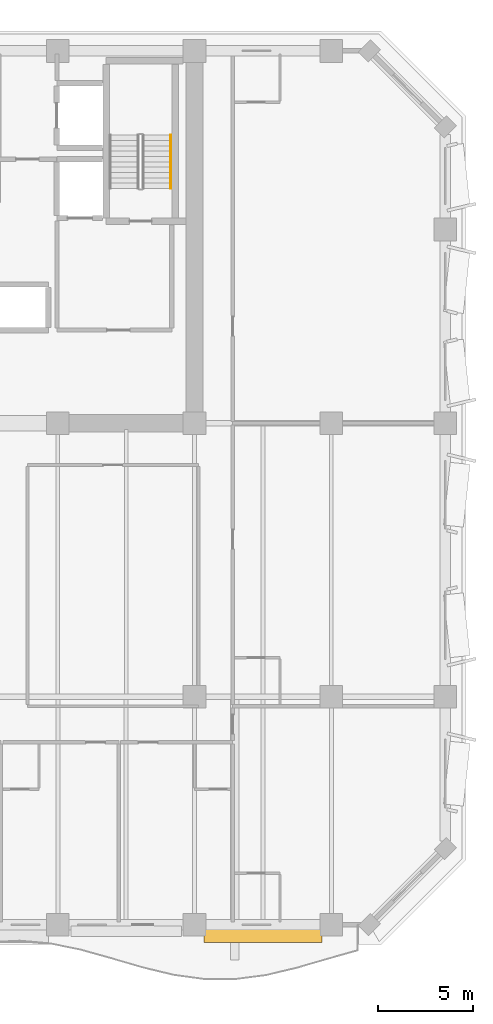
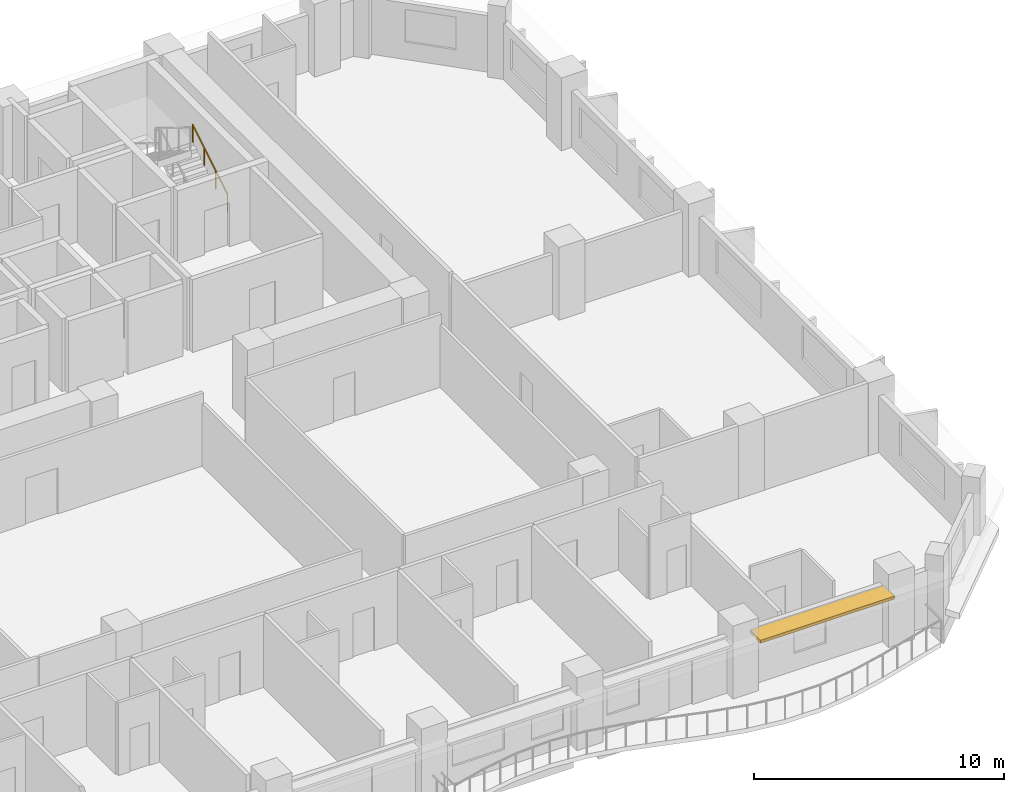
# One storey, part 15 of 15: 1 railing, 1 shading device.
"""IFC4 building model written with IfcOpenShell, lengths in metres."""

from ifc_helpers import new_model, si_unit, direction, frame, origin, origin_2d, place, context, subcontext, project, spatial, rectangle, extrude, material, layer, layer_set, type_object, element, save


model = new_model("IFC4")

# Units and contexts
model_context = context("Model", 3, precision=1e-05, world=origin(), true_north=direction((0.0, 1.0)))
body_context = subcontext(model_context, "Body", "Model", "MODEL_VIEW")
ifc_project = project(units=[si_unit("LENGTHUNIT", "METRE"), si_unit("AREAUNIT", "SQUARE_METRE"), si_unit("VOLUMEUNIT", "CUBIC_METRE"), si_unit("PLANEANGLEUNIT", "RADIAN"), si_unit("MASSUNIT", "GRAM", prefix="KILO")], contexts=[model_context])

# Site, building, storey
site_placement = place(None, origin())
site = spatial("IfcSite", under=ifc_project, at=site_placement, CompositionType="ELEMENT")
building_placement = place(site_placement, origin())
building = spatial("IfcBuilding", under=site, at=building_placement, Name="Kaelvorn Grand Hotel", CompositionType="ELEMENT")
storey_placement = place(building_placement, frame((0.0, 0.0, 154.35009765625)))
storey = spatial("IfcBuildingStorey", under=building, at=storey_placement, Name="L37", CompositionType="ELEMENT", Elevation=154.35009765625)

# Railing
ifc_material_1 = material(Name="Stainless Steel", Category="steel")
railing_type = type_object("IfcRailingType", Name="RL-HANDRAIL-900", PredefinedType="HANDRAIL", material=ifc_material_1)
railing_placement = place(storey_placement, frame((66.550048828125, 41.760009765625, 0.172607421875)))
element("IfcRailing", 1, at=railing_placement, inside=storey, type_object=railing_type, Name="L37 ST3 stair handrail 1", PredefinedType="HANDRAIL", context=body_context, shape_type="SweptSolid", body=[
    extrude(rectangle(XDim=0.048095703125, YDim=0.048095703125, at=origin_2d()), frame((0.0, 0.0, 0.8759765625), z_axis=(0.0, 0.851089632645, 0.525020415988), x_axis=(-1.0, 0.0, 0.0)), (0.0, 0.0, 1.0), 3.2900390625),
    extrude(rectangle(XDim=0.0419921875, YDim=0.0419921875, at=origin_2d()), origin(), (0.0, 0.0, 1.0), 0.851806640625),
    extrude(rectangle(XDim=0.0419921875, YDim=0.0419921875, at=origin_2d()), frame((0.0, 0.933349609375, 0.57568359375)), (0.0, 0.0, 1.0), 0.851806640625),
    extrude(rectangle(XDim=0.0419921875, YDim=0.0419921875, at=origin_2d()), frame((0.0, 1.86669921875, 1.151611328125)), (0.0, 0.0, 1.0), 0.851806640625),
    extrude(rectangle(XDim=0.0419921875, YDim=0.0419921875, at=origin_2d()), frame((0.0, 2.800048828125, 1.727294921875)), (0.0, 0.0, 1.0), 0.851806640625),
])

# Shading device
ifc_material_2 = material(Name="Precast concrete C45/55", Category="concrete")
ifc_layer = layer(ifc_material_2, 0.139892578125)
ifc_layer_set = layer_set([ifc_layer], Name="Precast concrete C45/55")
shading_device_type = type_object("IfcShadingDeviceType", Name="SHD-SUNSHADE-850", PredefinedType="USERDEFINED", material=ifc_layer_set)
shading_device_placement = place(storey_placement, frame((71.39990234375, 2.4951171875, 2.5498046875), z_axis=(0.0, 0.0, 1.0), x_axis=(1.0, 0.0, 0.0)))
element("IfcShadingDevice", 2, at=shading_device_placement, inside=storey, type_object=shading_device_type, Name="L37 Horizontal Concrete Sunshade Band SS-10", ObjectType="SUNSHADE", PredefinedType="USERDEFINED", context=body_context, shape_type="SweptSolid", body=[
    extrude(rectangle(XDim=6.199951171875, YDim=0.85009765625, at=origin_2d()), origin(), (0.0, 0.0, 1.0), 0.139892578125),
])

save(model, "model.ifc")
